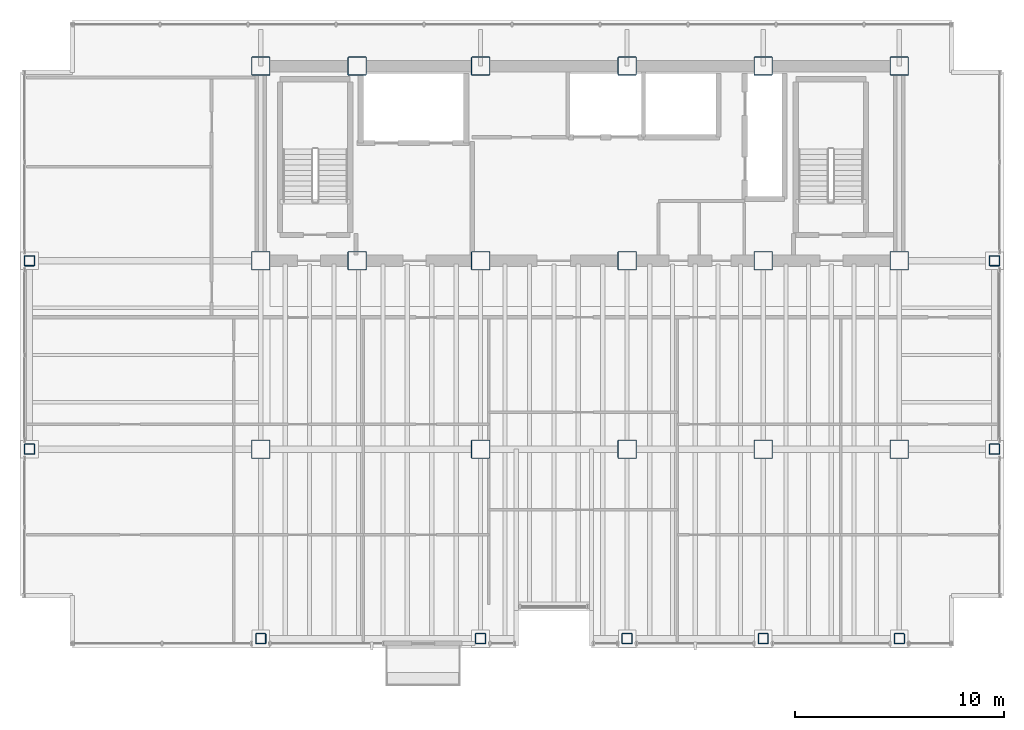
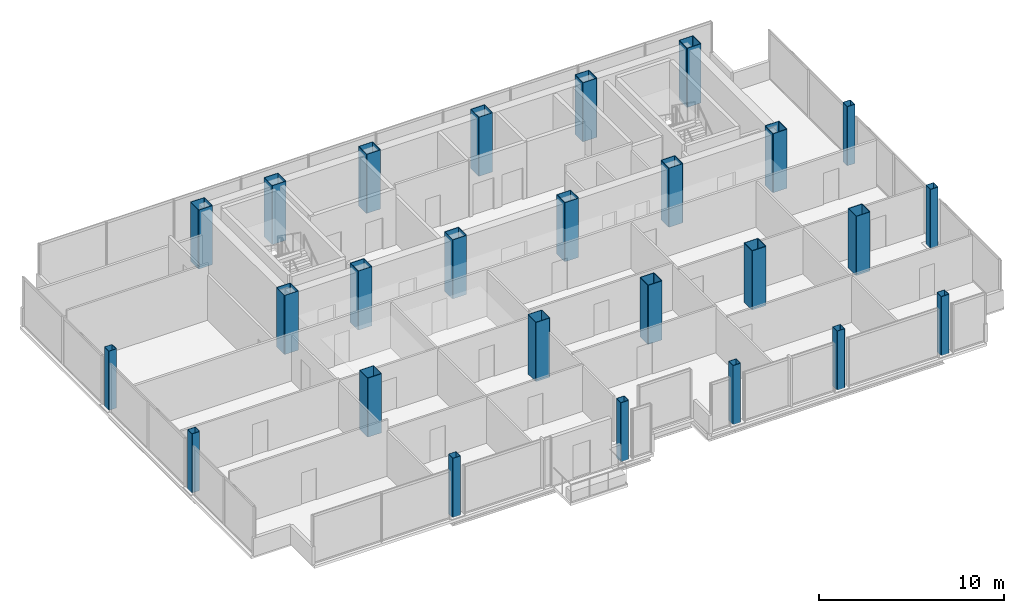
# One storey, part 1 of 22: 26 columns.
"""IFC4 building model written with IfcOpenShell, lengths in metres."""

from ifc_helpers import new_model, si_unit, direction, frame, origin, origin_2d, place, context, subcontext, project, spatial, hollow_rectangle, extrude, material, material_profile, profile_set, type_object, element, save


model = new_model("IFC4")

# Units and contexts
model_context = context("Model", 3, precision=1e-05, world=origin(), true_north=direction((0.0, 1.0)))
body_context = subcontext(model_context, "Body", "Model", "MODEL_VIEW")
ifc_project = project(units=[si_unit("LENGTHUNIT", "METRE"), si_unit("AREAUNIT", "SQUARE_METRE"), si_unit("VOLUMEUNIT", "CUBIC_METRE"), si_unit("PLANEANGLEUNIT", "RADIAN"), si_unit("MASSUNIT", "GRAM", prefix="KILO")], contexts=[model_context])

# Site, building, storey
site_placement = place(None, origin())
site = spatial("IfcSite", under=ifc_project, at=site_placement, CompositionType="ELEMENT")
building_placement = place(site_placement, origin())
building = spatial("IfcBuilding", under=site, at=building_placement, Name="Noeulbin Bourse Tower", CompositionType="ELEMENT")
storey_placement = place(building_placement, frame((0.0, 0.0, 134.39990234375)))
storey = spatial("IfcBuildingStorey", under=building, at=storey_placement, Name="L33", CompositionType="ELEMENT", Elevation=134.39990234375)

# Columns
ifc_material_1 = material(Name="Steel S355", Category="steel")
ifc_material_profile_1 = material_profile(ifc_material_1, hollow_rectangle(XDim=0.5, YDim=0.5, WallThickness=0.02392578125, InnerFilletRadius=0.011962890625, OuterFilletRadius=0.035888671875, at=origin_2d()), Name="BOX-500x500x24", Category="LoadBearing")
ifc_profile_set_1 = profile_set([ifc_material_profile_1], Name="Steel S355")
column_type_1 = type_object("IfcColumnType", Name="COL-PER-Z2", PredefinedType="COLUMN", material=ifc_profile_set_1)
for number, where, z_axis, x_axis, name in (
    (1, (2.449951171875, 20.0, 0.0), (0.0, 0.0, 1.0), (1.0, 0.0, 0.0), "Tower Perimeter Column COL-PER-Z2 01"),
    (2, (2.449951171875, 29.0, 0.0), (0.0, 0.0, 1.0), (1.0, 0.0, 0.0), "Tower Perimeter Column COL-PER-Z2 02"),
    (3, (13.5, 10.949951171875, 0.0), (0.0, 0.0, 1.0), (1.0, 0.0, 0.0), "Tower Perimeter Column COL-PER-Z2 03"),
    (4, (24.0, 10.949951171875, 0.0), (0.0, 0.0, 1.0), (1.0, 0.0, 0.0), "Tower Perimeter Column COL-PER-Z2 04"),
    (5, (31.0, 10.949951171875, 0.0), (0.0, 0.0, 1.0), (1.0, 0.0, 0.0), "Tower Perimeter Column COL-PER-Z2 05"),
    (6, (37.5, 10.949951171875, 0.0), (0.0, 0.0, 1.0), (1.0, 0.0, 0.0), "Tower Perimeter Column COL-PER-Z2 06"),
    (7, (44.0, 10.949951171875, 0.0), (0.0, 0.0, 1.0), (1.0, 0.0, 0.0), "Tower Perimeter Column COL-PER-Z2 07"),
    (8, (48.550048828125, 20.0, 0.0), (0.0, 0.0, 1.0), (1.0, 0.0, 0.0), "Tower Perimeter Column COL-PER-Z2 08"),
    (9, (48.550048828125, 29.0, 0.0), (0.0, 0.0, 1.0), (1.0, 0.0, 0.0), "Tower Perimeter Column COL-PER-Z2 09"),
):
    element("IfcColumn", number, at=place(storey_placement, frame(where, z_axis=z_axis, x_axis=x_axis)), inside=storey, type_object=column_type_1, Name=name, PredefinedType="COLUMN", context=body_context, shape_type="SweptSolid", body=[
        extrude(hollow_rectangle(XDim=0.5, YDim=0.5, WallThickness=0.02392578125, InnerFilletRadius=0.011962890625, OuterFilletRadius=0.035888671875, at=origin_2d()), origin(), (0.0, 0.0, 1.0), 3.900146484375),
    ])
ifc_material_2 = material(Name="Steel S460", Category="steel")
ifc_material_profile_2 = material_profile(ifc_material_2, hollow_rectangle(XDim=0.89990234375, YDim=0.89990234375, WallThickness=0.034912109375, InnerFilletRadius=0.01708984375, OuterFilletRadius=0.052001953125, at=origin_2d()), Name="BOX-900x900x35", Category="LoadBearing")
ifc_profile_set_2 = profile_set([ifc_material_profile_2], Name="Steel S460")
column_type_2 = type_object("IfcColumnType", Name="COL-TRK-Z2", PredefinedType="COLUMN", material=ifc_profile_set_2)
for number, where, z_axis, x_axis, name in (
    (10, (13.5, 29.0, 0.0), (0.0, 0.0, 1.0), (1.0, 0.0, 0.0), "Tower Trunk Mega-Column COL-TRK-Z2 01"),
    (11, (13.5, 38.300048828125, 0.0), (0.0, 0.0, 1.0), (1.0, 0.0, 0.0), "Tower Trunk Mega-Column COL-TRK-Z2 02"),
    (12, (18.10009765625, 29.0, 0.0), (0.0, 0.0, 1.0), (1.0, 0.0, 0.0), "Tower Trunk Mega-Column COL-TRK-Z2 03"),
    (13, (18.10009765625, 38.300048828125, 0.0), (0.0, 0.0, 1.0), (1.0, 0.0, 0.0), "Tower Trunk Mega-Column COL-TRK-Z2 04"),
    (14, (24.0, 29.0, 0.0), (0.0, 0.0, 1.0), (1.0, 0.0, 0.0), "Tower Trunk Mega-Column COL-TRK-Z2 05"),
    (15, (24.0, 38.300048828125, 0.0), (0.0, 0.0, 1.0), (1.0, 0.0, 0.0), "Tower Trunk Mega-Column COL-TRK-Z2 06"),
    (16, (31.0, 29.0, 0.0), (0.0, 0.0, 1.0), (1.0, 0.0, 0.0), "Tower Trunk Mega-Column COL-TRK-Z2 07"),
    (17, (31.0, 38.300048828125, 0.0), (0.0, 0.0, 1.0), (1.0, 0.0, 0.0), "Tower Trunk Mega-Column COL-TRK-Z2 08"),
    (18, (37.5, 29.0, 0.0), (0.0, 0.0, 1.0), (1.0, 0.0, 0.0), "Tower Trunk Mega-Column COL-TRK-Z2 09"),
    (19, (37.5, 38.300048828125, 0.0), (0.0, 0.0, 1.0), (1.0, 0.0, 0.0), "Tower Trunk Mega-Column COL-TRK-Z2 10"),
    (20, (44.0, 29.0, 0.0), (0.0, 0.0, 1.0), (1.0, 0.0, 0.0), "Tower Trunk Mega-Column COL-TRK-Z2 11"),
    (21, (44.0, 38.300048828125, 0.0), (0.0, 0.0, 1.0), (1.0, 0.0, 0.0), "Tower Trunk Mega-Column COL-TRK-Z2 12"),
    (22, (13.5, 20.0, 0.0), (0.0, 0.0, 1.0), (1.0, 0.0, 0.0), "Tower Trunk Mega-Column COL-TRK-Z2 13"),
    (23, (24.0, 20.0, 0.0), (0.0, 0.0, 1.0), (1.0, 0.0, 0.0), "Tower Trunk Mega-Column COL-TRK-Z2 14"),
    (24, (31.0, 20.0, 0.0), (0.0, 0.0, 1.0), (1.0, 0.0, 0.0), "Tower Trunk Mega-Column COL-TRK-Z2 15"),
    (25, (37.5, 20.0, 0.0), (0.0, 0.0, 1.0), (1.0, 0.0, 0.0), "Tower Trunk Mega-Column COL-TRK-Z2 16"),
    (26, (44.0, 20.0, 0.0), (0.0, 0.0, 1.0), (1.0, 0.0, 0.0), "Tower Trunk Mega-Column COL-TRK-Z2 17"),
):
    element("IfcColumn", number, at=place(storey_placement, frame(where, z_axis=z_axis, x_axis=x_axis)), inside=storey, type_object=column_type_2, Name=name, PredefinedType="COLUMN", context=body_context, shape_type="SweptSolid", body=[
        extrude(hollow_rectangle(XDim=0.89990234375, YDim=0.89990234375, WallThickness=0.034912109375, InnerFilletRadius=0.01708984375, OuterFilletRadius=0.052001953125, at=origin_2d()), origin(), (0.0, 0.0, 1.0), 3.900146484375),
    ])

save(model, "model.ifc")
